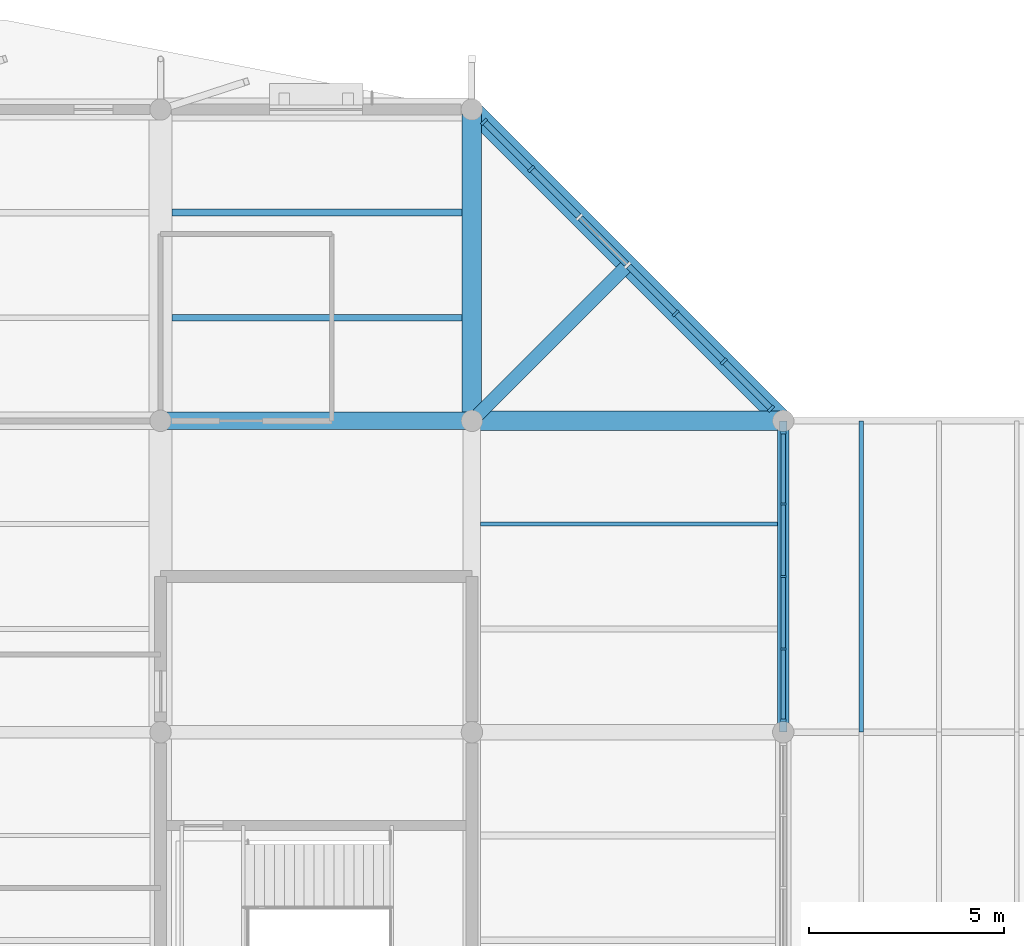
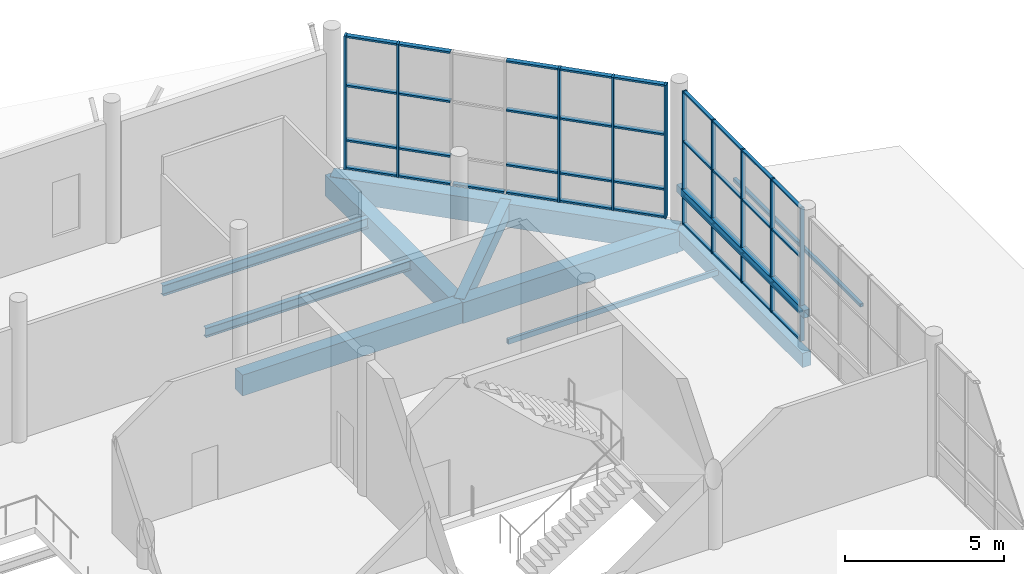
# One storey, part 63 of 122: 48 members, 10 beams, 2 elements without a shape of their own.
"""IFC4 building model written with IfcOpenShell, lengths in metres."""

from ifc_helpers import new_model, si_unit, direction, frame, origin, origin_2d, place, context, subcontext, project, spatial, rectangle, hollow_rectangle, i_section, extrude, material, material_profile, profile_set, type_object, element, aggregate, save


model = new_model("IFC4")

# Units and contexts
model_context = context("Model", 3, precision=1e-05, world=origin(), true_north=direction((0.0, 1.0)))
body_context = subcontext(model_context, "Body", "Model", "MODEL_VIEW")
ifc_project = project(units=[si_unit("LENGTHUNIT", "METRE"), si_unit("AREAUNIT", "SQUARE_METRE"), si_unit("VOLUMEUNIT", "CUBIC_METRE"), si_unit("PLANEANGLEUNIT", "RADIAN"), si_unit("MASSUNIT", "GRAM", prefix="KILO")], contexts=[model_context])

# Site, building, storey
site_placement = place(None, origin())
site = spatial("IfcSite", under=ifc_project, at=site_placement, CompositionType="ELEMENT")
building_placement = place(site_placement, origin())
building = spatial("IfcBuilding", under=site, at=building_placement, Name="Tenunan Teduh Sports Hall", CompositionType="ELEMENT")
storey_placement = place(building_placement, frame((0.0, 0.0, 5.39990234375)))
storey = spatial("IfcBuildingStorey", under=building, at=storey_placement, Name="L01", CompositionType="ELEMENT", Elevation=5.39990234375)

# Beams
ifc_material_1 = material(Name="Concrete C40/50", Category="concrete")
ifc_material_profile_1 = material_profile(ifc_material_1, rectangle(XDim=0.300048828125, YDim=0.550048828125, at=origin_2d()), Name="RCB 300x550")
ifc_profile_set_1 = profile_set([ifc_material_profile_1], Name="Concrete C40/50")
beam_type_1 = type_object("IfcBeamType", Name="BM-RC-300x550", PredefinedType="BEAM", material=ifc_profile_set_1)
beam_1_placement = place(storey_placement, frame((162.0, 102.0, -0.534912109375), z_axis=(0.0, 1.0, 0.0), x_axis=(-1.0, 0.0, 0.0)))
element("IfcBeam", 1, at=beam_1_placement, inside=storey, type_object=beam_type_1, Name="BM-B-02-L01-1303", PredefinedType="BEAM", context=body_context, shape_type="SweptSolid", body=[
    extrude(rectangle(XDim=0.300048828125, YDim=0.550048828125, at=origin_2d()), origin(), (0.0, 0.0, 1.0), 8.0),
])
ifc_material_2 = material(Name="Concrete C40/50", Category="concrete")
ifc_material_profile_2 = material_profile(ifc_material_2, rectangle(XDim=0.35009765625, YDim=0.60009765625, at=origin_2d()), Name="RCB 350x600")
ifc_profile_set_2 = profile_set([ifc_material_profile_2], Name="Concrete C40/50")
beam_type_2 = type_object("IfcBeamType", Name="BM-RC-350x600", PredefinedType="BEAM", material=ifc_profile_set_2)
beam_2_placement = place(storey_placement, frame((154.0, 110.0, -0.5498046875), z_axis=(0.707106781187, 0.707106781187, 0.0), x_axis=(-0.707106781187, 0.707106781187, 0.0)))
element("IfcBeam", 2, at=beam_2_placement, inside=storey, type_object=beam_type_2, Name="BM-B-04-L01-2235", PredefinedType="BEAM", context=body_context, shape_type="SweptSolid", body=[
    extrude(rectangle(XDim=0.35009765625, YDim=0.60009765625, at=origin_2d()), origin(), (0.0, 0.0, 1.0), 5.65673828125),
])
ifc_material_3 = material(Name="Concrete C40/50", Category="concrete")
ifc_material_profile_3 = material_profile(ifc_material_3, rectangle(XDim=0.449951171875, YDim=0.800048828125, at=origin_2d()), Name="RCB 450x800")
ifc_profile_set_3 = profile_set([ifc_material_profile_3], Name="Concrete C40/50")
beam_type_3 = type_object("IfcBeamType", Name="BM-RC-450x800", PredefinedType="BEAM", material=ifc_profile_set_3)
beam_3_placement = place(storey_placement, frame((146.0, 110.0, -0.659912109375), z_axis=(1.0, 0.0, 0.0), x_axis=(0.0, 1.0, 0.0)))
element("IfcBeam", 3, at=beam_3_placement, inside=storey, type_object=beam_type_3, Name="BM-B-12-L01-1170", PredefinedType="BEAM", context=body_context, shape_type="SweptSolid", body=[
    extrude(rectangle(XDim=0.449951171875, YDim=0.800048828125, at=origin_2d()), origin(), (0.0, 0.0, 1.0), 8.0),
])
ifc_material_4 = material(Name="Concrete C40/50", Category="concrete")
ifc_material_profile_4 = material_profile(ifc_material_4, rectangle(XDim=0.5, YDim=0.800048828125, at=origin_2d()), Name="RCB 500x800")
ifc_profile_set_4 = profile_set([ifc_material_profile_4], Name="Concrete C40/50")
beam_type_4 = type_object("IfcBeamType", Name="BM-RC-500x800", PredefinedType="BEAM", material=ifc_profile_set_4)
for number, where, z_axis, x_axis, name in (
    (4, (154.0, 110.0, -0.659912109375), (1.0, 0.0, 0.0), (0.0, 1.0, 0.0), "BM-B-14-L01-1171"),
    (5, (154.0, 110.0, -0.659912109375), (0.0, 1.0, 0.0), (-1.0, 0.0, 0.0), "BM-B-14-L01-1300"),
):
    element("IfcBeam", number, at=place(storey_placement, frame(where, z_axis=z_axis, x_axis=x_axis)), inside=storey, type_object=beam_type_4, Name=name, PredefinedType="BEAM", context=body_context, shape_type="SweptSolid", body=[
        extrude(rectangle(XDim=0.5, YDim=0.800048828125, at=origin_2d()), origin(), (0.0, 0.0, 1.0), 8.0),
    ])
ifc_material_5 = material(Name="Concrete C40/50", Category="concrete")
ifc_material_profile_5 = material_profile(ifc_material_5, rectangle(XDim=0.5, YDim=0.89990234375, at=origin_2d()), Name="RCB 500x900")
ifc_profile_set_5 = profile_set([ifc_material_profile_5], Name="Concrete C40/50")
beam_type_5 = type_object("IfcBeamType", Name="BM-RC-500x900", PredefinedType="BEAM", material=ifc_profile_set_5)
beam_4_placement = place(storey_placement, frame((154.0, 118.0, -0.699951171875), z_axis=(0.707106781187, -0.707106781187, 0.0), x_axis=(0.707106781187, 0.707106781187, 0.0)))
element("IfcBeam", 6, at=beam_4_placement, inside=storey, type_object=beam_type_5, Name="BM-B-15-L01-0600", PredefinedType="BEAM", context=body_context, shape_type="SweptSolid", body=[
    extrude(rectangle(XDim=0.5, YDim=0.89990234375, at=origin_2d()), origin(), (0.0, 0.0, 1.0), 11.313720703125),
])

# Curtain wall, members
ifc_material_6 = material(Name="Anodised aluminium", Category="aluminium")
curtain_wall_type = type_object("IfcCurtainWallType", Name="CW-UNIT-1", PredefinedType="NOTDEFINED", material=ifc_material_6)
curtain_wall_1_placement = place(storey_placement, origin())
curtain_wall_1 = element("IfcCurtainWall", 7, at=curtain_wall_1_placement, inside=storey, type_object=curtain_wall_type, Name="CW-CWM-150-L01-247", PredefinedType="NOTDEFINED")
ifc_material_7 = material(Name="Anodised aluminium", Category="aluminium")
ifc_material_profile_6 = material_profile(ifc_material_7, rectangle(XDim=0.06005859375, YDim=0.14990234375, at=origin_2d()), Name="CWM 60x150")
ifc_profile_set_6 = profile_set([ifc_material_profile_6], Name="Anodised aluminium")
member_type_1 = type_object("IfcMemberType", Name="CWM-150", PredefinedType="MULLION", material=ifc_profile_set_6)
member_1_placement = place(storey_placement, frame((162.0, 102.304931640625, 0.0), z_axis=(0.0, 0.0, 1.0), x_axis=(0.0, 1.0, 0.0)))
member_1 = element("IfcMember", 8, at=member_1_placement, type_object=member_type_1, Name="CW-01 mullion 1", PredefinedType="MULLION", context=body_context, shape_type="SweptSolid", body=[
    extrude(rectangle(XDim=0.06005859375, YDim=0.14990234375, at=origin_2d()), origin(), (0.0, 0.0, 1.0), 5.1201171875),
])
member_2_placement = place(storey_placement, frame((162.0, 104.137451171875, 0.0), z_axis=(0.0, 0.0, 1.0), x_axis=(0.0, 1.0, 0.0)))
member_2 = element("IfcMember", 9, at=member_2_placement, type_object=member_type_1, Name="CW-01 mullion 2", PredefinedType="MULLION", context=body_context, shape_type="SweptSolid", body=[
    extrude(rectangle(XDim=0.06005859375, YDim=0.14990234375, at=origin_2d()), origin(), (0.0, 0.0, 1.0), 5.1201171875),
])
member_3_placement = place(storey_placement, frame((162.0, 106.0, 0.0), z_axis=(0.0, 0.0, 1.0), x_axis=(0.0, 1.0, 0.0)))
member_3 = element("IfcMember", 10, at=member_3_placement, type_object=member_type_1, Name="CW-01 mullion 3", PredefinedType="MULLION", context=body_context, shape_type="SweptSolid", body=[
    extrude(rectangle(XDim=0.06005859375, YDim=0.14990234375, at=origin_2d()), origin(), (0.0, 0.0, 1.0), 5.1201171875),
])
member_4_placement = place(storey_placement, frame((162.0, 107.862548828125, 0.0), z_axis=(0.0, 0.0, 1.0), x_axis=(0.0, 1.0, 0.0)))
member_4 = element("IfcMember", 11, at=member_4_placement, type_object=member_type_1, Name="CW-01 mullion 4", PredefinedType="MULLION", context=body_context, shape_type="SweptSolid", body=[
    extrude(rectangle(XDim=0.06005859375, YDim=0.14990234375, at=origin_2d()), origin(), (0.0, 0.0, 1.0), 5.1201171875),
])
member_5_placement = place(storey_placement, frame((162.0, 109.695068359375, 0.0), z_axis=(0.0, 0.0, 1.0), x_axis=(0.0, 1.0, 0.0)))
member_5 = element("IfcMember", 12, at=member_5_placement, type_object=member_type_1, Name="CW-01 mullion 5", PredefinedType="MULLION", context=body_context, shape_type="SweptSolid", body=[
    extrude(rectangle(XDim=0.06005859375, YDim=0.14990234375, at=origin_2d()), origin(), (0.0, 0.0, 1.0), 5.1201171875),
])

curtain_wall_2_placement = place(storey_placement, origin())
curtain_wall_2 = element("IfcCurtainWall", 13, at=curtain_wall_2_placement, inside=storey, type_object=curtain_wall_type, Name="CW-CWM-200-L01-248", PredefinedType="NOTDEFINED")
ifc_material_8 = material(Name="Anodised aluminium", Category="aluminium")
ifc_material_profile_7 = material_profile(ifc_material_8, rectangle(XDim=0.070068359375, YDim=0.199951171875, at=origin_2d()), Name="CWM 70x200")
ifc_profile_set_7 = profile_set([ifc_material_profile_7], Name="Anodised aluminium")
member_type_2 = type_object("IfcMemberType", Name="CWM-200", PredefinedType="MULLION", material=ifc_profile_set_7)
member_6_placement = place(storey_placement, frame((154.3134765625, 117.6865234375, 0.0), z_axis=(0.0, 0.0, 1.0), x_axis=(-0.707106781187, 0.707106781187, 0.0)))
member_6 = element("IfcMember", 14, at=member_6_placement, type_object=member_type_2, Name="CW-01 mullion 1", PredefinedType="MULLION", context=body_context, shape_type="SweptSolid", body=[
    extrude(rectangle(XDim=0.070068359375, YDim=0.199951171875, at=origin_2d()), origin(), (0.0, 0.0, 1.0), 5.1201171875),
])
member_7_placement = place(storey_placement, frame((155.52587890625, 116.47412109375, 0.0), z_axis=(0.0, 0.0, 1.0), x_axis=(-0.707106781187, 0.707106781187, 0.0)))
member_7 = element("IfcMember", 15, at=member_7_placement, type_object=member_type_2, Name="CW-01 mullion 2", PredefinedType="MULLION", context=body_context, shape_type="SweptSolid", body=[
    extrude(rectangle(XDim=0.070068359375, YDim=0.199951171875, at=origin_2d()), origin(), (0.0, 0.0, 1.0), 5.1201171875),
])
member_8_placement = place(storey_placement, frame((159.237060546875, 112.762939453125, 0.0), z_axis=(0.0, 0.0, 1.0), x_axis=(-0.707106781187, 0.707106781187, 0.0)))
member_8 = element("IfcMember", 16, at=member_8_placement, type_object=member_type_2, Name="CW-01 mullion 5", PredefinedType="MULLION", context=body_context, shape_type="SweptSolid", body=[
    extrude(rectangle(XDim=0.070068359375, YDim=0.199951171875, at=origin_2d()), origin(), (0.0, 0.0, 1.0), 5.1201171875),
])
member_9_placement = place(storey_placement, frame((160.47412109375, 111.52587890625, 0.0), z_axis=(0.0, 0.0, 1.0), x_axis=(-0.707106781187, 0.707106781187, 0.0)))
member_9 = element("IfcMember", 17, at=member_9_placement, type_object=member_type_2, Name="CW-01 mullion 6", PredefinedType="MULLION", context=body_context, shape_type="SweptSolid", body=[
    extrude(rectangle(XDim=0.070068359375, YDim=0.199951171875, at=origin_2d()), origin(), (0.0, 0.0, 1.0), 5.1201171875),
])
member_10_placement = place(storey_placement, frame((161.6865234375, 110.3134765625, 0.0), z_axis=(0.0, 0.0, 1.0), x_axis=(-0.707106781187, 0.707106781187, 0.0)))
member_10 = element("IfcMember", 18, at=member_10_placement, type_object=member_type_2, Name="CW-01 mullion 7", PredefinedType="MULLION", context=body_context, shape_type="SweptSolid", body=[
    extrude(rectangle(XDim=0.070068359375, YDim=0.199951171875, at=origin_2d()), origin(), (0.0, 0.0, 1.0), 5.1201171875),
])

# Member
ifc_material_9 = material(Name="Anodised aluminium", Category="aluminium")
ifc_material_profile_8 = material_profile(ifc_material_9, rectangle(XDim=0.06005859375, YDim=0.1201171875, at=origin_2d()), Name="CWT 60x120")
ifc_profile_set_8 = profile_set([ifc_material_profile_8], Name="Anodised aluminium")
member_type_3 = type_object("IfcMemberType", Name="CWT-125", PredefinedType="USERDEFINED", material=ifc_profile_set_8)
member_11_placement = place(storey_placement, frame((162.0, 102.3349609375, 0.030029296875), z_axis=(0.0, 1.0, 0.0), x_axis=(0.0, 0.0, 1.0)))
member_11 = element("IfcMember", 19, at=member_11_placement, type_object=member_type_3, Name="CW-01 transom 1.1", ObjectType="TRANSOM", PredefinedType="USERDEFINED", context=body_context, shape_type="SweptSolid", body=[
    extrude(rectangle(XDim=0.06005859375, YDim=0.1201171875, at=origin_2d()), origin(), (0.0, 0.0, 1.0), 1.7724609375),
])

member_12_placement = place(storey_placement, frame((162.0, 102.3349609375, 1.10009765625), z_axis=(0.0, 1.0, 0.0), x_axis=(0.0, 0.0, 1.0)))
member_12 = element("IfcMember", 20, at=member_12_placement, type_object=member_type_3, Name="CW-01 transom 1.2", ObjectType="TRANSOM", PredefinedType="USERDEFINED", context=body_context, shape_type="SweptSolid", body=[
    extrude(rectangle(XDim=0.06005859375, YDim=0.1201171875, at=origin_2d()), origin(), (0.0, 0.0, 1.0), 1.7724609375),
])

member_13_placement = place(storey_placement, frame((162.0, 102.3349609375, 3.2001953125), z_axis=(0.0, 1.0, 0.0), x_axis=(0.0, 0.0, 1.0)))
member_13 = element("IfcMember", 21, at=member_13_placement, type_object=member_type_3, Name="CW-01 transom 1.3", ObjectType="TRANSOM", PredefinedType="USERDEFINED", context=body_context, shape_type="SweptSolid", body=[
    extrude(rectangle(XDim=0.06005859375, YDim=0.1201171875, at=origin_2d()), origin(), (0.0, 0.0, 1.0), 1.7724609375),
])

member_14_placement = place(storey_placement, frame((162.0, 102.3349609375, 5.090087890625), z_axis=(0.0, 1.0, 0.0), x_axis=(0.0, 0.0, 1.0)))
member_14 = element("IfcMember", 22, at=member_14_placement, type_object=member_type_3, Name="CW-01 transom 1.4", ObjectType="TRANSOM", PredefinedType="USERDEFINED", context=body_context, shape_type="SweptSolid", body=[
    extrude(rectangle(XDim=0.06005859375, YDim=0.1201171875, at=origin_2d()), origin(), (0.0, 0.0, 1.0), 1.7724609375),
])

member_15_placement = place(storey_placement, frame((162.0, 104.16748046875, 0.030029296875), z_axis=(0.0, 1.0, 0.0), x_axis=(0.0, 0.0, 1.0)))
member_15 = element("IfcMember", 23, at=member_15_placement, type_object=member_type_3, Name="CW-01 transom 2.1", ObjectType="TRANSOM", PredefinedType="USERDEFINED", context=body_context, shape_type="SweptSolid", body=[
    extrude(rectangle(XDim=0.06005859375, YDim=0.1201171875, at=origin_2d()), origin(), (0.0, 0.0, 1.0), 1.802490234375),
])

member_16_placement = place(storey_placement, frame((162.0, 104.16748046875, 1.10009765625), z_axis=(0.0, 1.0, 0.0), x_axis=(0.0, 0.0, 1.0)))
member_16 = element("IfcMember", 24, at=member_16_placement, type_object=member_type_3, Name="CW-01 transom 2.2", ObjectType="TRANSOM", PredefinedType="USERDEFINED", context=body_context, shape_type="SweptSolid", body=[
    extrude(rectangle(XDim=0.06005859375, YDim=0.1201171875, at=origin_2d()), origin(), (0.0, 0.0, 1.0), 1.802490234375),
])

member_17_placement = place(storey_placement, frame((162.0, 104.16748046875, 3.2001953125), z_axis=(0.0, 1.0, 0.0), x_axis=(0.0, 0.0, 1.0)))
member_17 = element("IfcMember", 25, at=member_17_placement, type_object=member_type_3, Name="CW-01 transom 2.3", ObjectType="TRANSOM", PredefinedType="USERDEFINED", context=body_context, shape_type="SweptSolid", body=[
    extrude(rectangle(XDim=0.06005859375, YDim=0.1201171875, at=origin_2d()), origin(), (0.0, 0.0, 1.0), 1.802490234375),
])

member_18_placement = place(storey_placement, frame((162.0, 104.16748046875, 5.090087890625), z_axis=(0.0, 1.0, 0.0), x_axis=(0.0, 0.0, 1.0)))
member_18 = element("IfcMember", 26, at=member_18_placement, type_object=member_type_3, Name="CW-01 transom 2.4", ObjectType="TRANSOM", PredefinedType="USERDEFINED", context=body_context, shape_type="SweptSolid", body=[
    extrude(rectangle(XDim=0.06005859375, YDim=0.1201171875, at=origin_2d()), origin(), (0.0, 0.0, 1.0), 1.802490234375),
])

member_19_placement = place(storey_placement, frame((162.0, 106.030029296875, 0.030029296875), z_axis=(0.0, 1.0, 0.0), x_axis=(0.0, 0.0, 1.0)))
member_19 = element("IfcMember", 27, at=member_19_placement, type_object=member_type_3, Name="CW-01 transom 3.1", ObjectType="TRANSOM", PredefinedType="USERDEFINED", context=body_context, shape_type="SweptSolid", body=[
    extrude(rectangle(XDim=0.06005859375, YDim=0.1201171875, at=origin_2d()), origin(), (0.0, 0.0, 1.0), 1.802490234375),
])

member_20_placement = place(storey_placement, frame((162.0, 106.030029296875, 1.10009765625), z_axis=(0.0, 1.0, 0.0), x_axis=(0.0, 0.0, 1.0)))
member_20 = element("IfcMember", 28, at=member_20_placement, type_object=member_type_3, Name="CW-01 transom 3.2", ObjectType="TRANSOM", PredefinedType="USERDEFINED", context=body_context, shape_type="SweptSolid", body=[
    extrude(rectangle(XDim=0.06005859375, YDim=0.1201171875, at=origin_2d()), origin(), (0.0, 0.0, 1.0), 1.802490234375),
])

member_21_placement = place(storey_placement, frame((162.0, 106.030029296875, 3.2001953125), z_axis=(0.0, 1.0, 0.0), x_axis=(0.0, 0.0, 1.0)))
member_21 = element("IfcMember", 29, at=member_21_placement, type_object=member_type_3, Name="CW-01 transom 3.3", ObjectType="TRANSOM", PredefinedType="USERDEFINED", context=body_context, shape_type="SweptSolid", body=[
    extrude(rectangle(XDim=0.06005859375, YDim=0.1201171875, at=origin_2d()), origin(), (0.0, 0.0, 1.0), 1.802490234375),
])

member_22_placement = place(storey_placement, frame((162.0, 106.030029296875, 5.090087890625), z_axis=(0.0, 1.0, 0.0), x_axis=(0.0, 0.0, 1.0)))
member_22 = element("IfcMember", 30, at=member_22_placement, type_object=member_type_3, Name="CW-01 transom 3.4", ObjectType="TRANSOM", PredefinedType="USERDEFINED", context=body_context, shape_type="SweptSolid", body=[
    extrude(rectangle(XDim=0.06005859375, YDim=0.1201171875, at=origin_2d()), origin(), (0.0, 0.0, 1.0), 1.802490234375),
])

member_23_placement = place(storey_placement, frame((162.0, 107.892578125, 0.030029296875), z_axis=(0.0, 1.0, 0.0), x_axis=(0.0, 0.0, 1.0)))
member_23 = element("IfcMember", 31, at=member_23_placement, type_object=member_type_3, Name="CW-01 transom 4.1", ObjectType="TRANSOM", PredefinedType="USERDEFINED", context=body_context, shape_type="SweptSolid", body=[
    extrude(rectangle(XDim=0.06005859375, YDim=0.1201171875, at=origin_2d()), origin(), (0.0, 0.0, 1.0), 1.7724609375),
])

member_24_placement = place(storey_placement, frame((162.0, 107.892578125, 1.10009765625), z_axis=(0.0, 1.0, 0.0), x_axis=(0.0, 0.0, 1.0)))
member_24 = element("IfcMember", 32, at=member_24_placement, type_object=member_type_3, Name="CW-01 transom 4.2", ObjectType="TRANSOM", PredefinedType="USERDEFINED", context=body_context, shape_type="SweptSolid", body=[
    extrude(rectangle(XDim=0.06005859375, YDim=0.1201171875, at=origin_2d()), origin(), (0.0, 0.0, 1.0), 1.7724609375),
])

member_25_placement = place(storey_placement, frame((162.0, 107.892578125, 3.2001953125), z_axis=(0.0, 1.0, 0.0), x_axis=(0.0, 0.0, 1.0)))
member_25 = element("IfcMember", 33, at=member_25_placement, type_object=member_type_3, Name="CW-01 transom 4.3", ObjectType="TRANSOM", PredefinedType="USERDEFINED", context=body_context, shape_type="SweptSolid", body=[
    extrude(rectangle(XDim=0.06005859375, YDim=0.1201171875, at=origin_2d()), origin(), (0.0, 0.0, 1.0), 1.7724609375),
])

member_26_placement = place(storey_placement, frame((162.0, 107.892578125, 5.090087890625), z_axis=(0.0, 1.0, 0.0), x_axis=(0.0, 0.0, 1.0)))
member_26 = element("IfcMember", 34, at=member_26_placement, type_object=member_type_3, Name="CW-01 transom 4.4", ObjectType="TRANSOM", PredefinedType="USERDEFINED", context=body_context, shape_type="SweptSolid", body=[
    extrude(rectangle(XDim=0.06005859375, YDim=0.1201171875, at=origin_2d()), origin(), (0.0, 0.0, 1.0), 1.7724609375),
])

aggregate(curtain_wall_1, [member_1, member_2, member_3, member_4, member_5, member_11, member_12, member_13, member_14, member_15, member_16, member_17, member_18, member_19, member_20, member_21, member_22, member_23, member_24, member_25, member_26])

ifc_material_10 = material(Name="Anodised aluminium", Category="aluminium")
ifc_material_profile_9 = material_profile(ifc_material_10, rectangle(XDim=0.070068359375, YDim=0.159912109375, at=origin_2d()), Name="CWT 70x160")
ifc_profile_set_9 = profile_set([ifc_material_profile_9], Name="Anodised aluminium")
member_type_4 = type_object("IfcMemberType", Name="CWT-200", PredefinedType="USERDEFINED", material=ifc_profile_set_9)
member_27_placement = place(storey_placement, frame((154.338134765625, 117.661865234375, 0.03515625), z_axis=(0.707106781187, -0.707106781187, 0.0), x_axis=(0.0, 0.0, 1.0)))
member_27 = element("IfcMember", 35, at=member_27_placement, type_object=member_type_4, Name="CW-01 transom 1.1", ObjectType="TRANSOM", PredefinedType="USERDEFINED", context=body_context, shape_type="SweptSolid", body=[
    extrude(rectangle(XDim=0.070068359375, YDim=0.159912109375, at=origin_2d()), origin(), (0.0, 0.0, 1.0), 1.64453125),
])

member_28_placement = place(storey_placement, frame((154.338134765625, 117.661865234375, 1.10009765625), z_axis=(0.707106781187, -0.707106781187, 0.0), x_axis=(0.0, 0.0, 1.0)))
member_28 = element("IfcMember", 36, at=member_28_placement, type_object=member_type_4, Name="CW-01 transom 1.2", ObjectType="TRANSOM", PredefinedType="USERDEFINED", context=body_context, shape_type="SweptSolid", body=[
    extrude(rectangle(XDim=0.070068359375, YDim=0.159912109375, at=origin_2d()), origin(), (0.0, 0.0, 1.0), 1.64453125),
])

member_29_placement = place(storey_placement, frame((154.338134765625, 117.661865234375, 3.2001953125), z_axis=(0.707106781187, -0.707106781187, 0.0), x_axis=(0.0, 0.0, 1.0)))
member_29 = element("IfcMember", 37, at=member_29_placement, type_object=member_type_4, Name="CW-01 transom 1.3", ObjectType="TRANSOM", PredefinedType="USERDEFINED", context=body_context, shape_type="SweptSolid", body=[
    extrude(rectangle(XDim=0.070068359375, YDim=0.159912109375, at=origin_2d()), origin(), (0.0, 0.0, 1.0), 1.64453125),
])

member_30_placement = place(storey_placement, frame((154.338134765625, 117.661865234375, 5.085205078125), z_axis=(0.707106781187, -0.707106781187, 0.0), x_axis=(0.0, 0.0, 1.0)))
member_30 = element("IfcMember", 38, at=member_30_placement, type_object=member_type_4, Name="CW-01 transom 1.4", ObjectType="TRANSOM", PredefinedType="USERDEFINED", context=body_context, shape_type="SweptSolid", body=[
    extrude(rectangle(XDim=0.070068359375, YDim=0.159912109375, at=origin_2d()), origin(), (0.0, 0.0, 1.0), 1.64453125),
])

member_31_placement = place(storey_placement, frame((155.550537109375, 116.449462890625, 0.03515625), z_axis=(0.707106781187, -0.707106781187, 0.0), x_axis=(0.0, 0.0, 1.0)))
member_31 = element("IfcMember", 39, at=member_31_placement, type_object=member_type_4, Name="CW-01 transom 2.1", ObjectType="TRANSOM", PredefinedType="USERDEFINED", context=body_context, shape_type="SweptSolid", body=[
    extrude(rectangle(XDim=0.070068359375, YDim=0.159912109375, at=origin_2d()), origin(), (0.0, 0.0, 1.0), 1.679443359375),
])

member_32_placement = place(storey_placement, frame((155.550537109375, 116.449462890625, 1.10009765625), z_axis=(0.707106781187, -0.707106781187, 0.0), x_axis=(0.0, 0.0, 1.0)))
member_32 = element("IfcMember", 40, at=member_32_placement, type_object=member_type_4, Name="CW-01 transom 2.2", ObjectType="TRANSOM", PredefinedType="USERDEFINED", context=body_context, shape_type="SweptSolid", body=[
    extrude(rectangle(XDim=0.070068359375, YDim=0.159912109375, at=origin_2d()), origin(), (0.0, 0.0, 1.0), 1.679443359375),
])

member_33_placement = place(storey_placement, frame((155.550537109375, 116.449462890625, 3.2001953125), z_axis=(0.707106781187, -0.707106781187, 0.0), x_axis=(0.0, 0.0, 1.0)))
member_33 = element("IfcMember", 41, at=member_33_placement, type_object=member_type_4, Name="CW-01 transom 2.3", ObjectType="TRANSOM", PredefinedType="USERDEFINED", context=body_context, shape_type="SweptSolid", body=[
    extrude(rectangle(XDim=0.070068359375, YDim=0.159912109375, at=origin_2d()), origin(), (0.0, 0.0, 1.0), 1.679443359375),
])

member_34_placement = place(storey_placement, frame((155.550537109375, 116.449462890625, 5.085205078125), z_axis=(0.707106781187, -0.707106781187, 0.0), x_axis=(0.0, 0.0, 1.0)))
member_34 = element("IfcMember", 42, at=member_34_placement, type_object=member_type_4, Name="CW-01 transom 2.4", ObjectType="TRANSOM", PredefinedType="USERDEFINED", context=body_context, shape_type="SweptSolid", body=[
    extrude(rectangle(XDim=0.070068359375, YDim=0.159912109375, at=origin_2d()), origin(), (0.0, 0.0, 1.0), 1.679443359375),
])

member_35_placement = place(storey_placement, frame((156.78759765625, 115.21240234375, 0.03515625), z_axis=(0.707106781187, -0.707106781187, 0.0), x_axis=(0.0, 0.0, 1.0)))
member_35 = element("IfcMember", 43, at=member_35_placement, type_object=member_type_4, Name="CW-01 transom 3.1", ObjectType="TRANSOM", PredefinedType="USERDEFINED", context=body_context, shape_type="SweptSolid", body=[
    extrude(rectangle(XDim=0.070068359375, YDim=0.159912109375, at=origin_2d()), origin(), (0.0, 0.0, 1.0), 1.6796875),
])

member_36_placement = place(storey_placement, frame((158.024658203125, 113.975341796875, 0.03515625), z_axis=(0.707106781187, -0.707106781187, 0.0), x_axis=(0.0, 0.0, 1.0)))
member_36 = element("IfcMember", 44, at=member_36_placement, type_object=member_type_4, Name="CW-01 transom 4.1", ObjectType="TRANSOM", PredefinedType="USERDEFINED", context=body_context, shape_type="SweptSolid", body=[
    extrude(rectangle(XDim=0.070068359375, YDim=0.159912109375, at=origin_2d()), origin(), (0.0, 0.0, 1.0), 1.6796875),
])

member_37_placement = place(storey_placement, frame((158.024658203125, 113.975341796875, 1.10009765625), z_axis=(0.707106781187, -0.707106781187, 0.0), x_axis=(0.0, 0.0, 1.0)))
member_37 = element("IfcMember", 45, at=member_37_placement, type_object=member_type_4, Name="CW-01 transom 4.2", ObjectType="TRANSOM", PredefinedType="USERDEFINED", context=body_context, shape_type="SweptSolid", body=[
    extrude(rectangle(XDim=0.070068359375, YDim=0.159912109375, at=origin_2d()), origin(), (0.0, 0.0, 1.0), 1.6796875),
])

member_38_placement = place(storey_placement, frame((158.024658203125, 113.975341796875, 3.2001953125), z_axis=(0.707106781187, -0.707106781187, 0.0), x_axis=(0.0, 0.0, 1.0)))
member_38 = element("IfcMember", 46, at=member_38_placement, type_object=member_type_4, Name="CW-01 transom 4.3", ObjectType="TRANSOM", PredefinedType="USERDEFINED", context=body_context, shape_type="SweptSolid", body=[
    extrude(rectangle(XDim=0.070068359375, YDim=0.159912109375, at=origin_2d()), origin(), (0.0, 0.0, 1.0), 1.6796875),
])

member_39_placement = place(storey_placement, frame((158.024658203125, 113.975341796875, 5.085205078125), z_axis=(0.707106781187, -0.707106781187, 0.0), x_axis=(0.0, 0.0, 1.0)))
member_39 = element("IfcMember", 47, at=member_39_placement, type_object=member_type_4, Name="CW-01 transom 4.4", ObjectType="TRANSOM", PredefinedType="USERDEFINED", context=body_context, shape_type="SweptSolid", body=[
    extrude(rectangle(XDim=0.070068359375, YDim=0.159912109375, at=origin_2d()), origin(), (0.0, 0.0, 1.0), 1.6796875),
])

member_40_placement = place(storey_placement, frame((159.261962890625, 112.738037109375, 0.03515625), z_axis=(0.707106781187, -0.707106781187, 0.0), x_axis=(0.0, 0.0, 1.0)))
member_40 = element("IfcMember", 48, at=member_40_placement, type_object=member_type_4, Name="CW-01 transom 5.1", ObjectType="TRANSOM", PredefinedType="USERDEFINED", context=body_context, shape_type="SweptSolid", body=[
    extrude(rectangle(XDim=0.070068359375, YDim=0.159912109375, at=origin_2d()), origin(), (0.0, 0.0, 1.0), 1.679443359375),
])

member_41_placement = place(storey_placement, frame((159.261962890625, 112.738037109375, 1.10009765625), z_axis=(0.707106781187, -0.707106781187, 0.0), x_axis=(0.0, 0.0, 1.0)))
member_41 = element("IfcMember", 49, at=member_41_placement, type_object=member_type_4, Name="CW-01 transom 5.2", ObjectType="TRANSOM", PredefinedType="USERDEFINED", context=body_context, shape_type="SweptSolid", body=[
    extrude(rectangle(XDim=0.070068359375, YDim=0.159912109375, at=origin_2d()), origin(), (0.0, 0.0, 1.0), 1.679443359375),
])

member_42_placement = place(storey_placement, frame((159.261962890625, 112.738037109375, 3.2001953125), z_axis=(0.707106781187, -0.707106781187, 0.0), x_axis=(0.0, 0.0, 1.0)))
member_42 = element("IfcMember", 50, at=member_42_placement, type_object=member_type_4, Name="CW-01 transom 5.3", ObjectType="TRANSOM", PredefinedType="USERDEFINED", context=body_context, shape_type="SweptSolid", body=[
    extrude(rectangle(XDim=0.070068359375, YDim=0.159912109375, at=origin_2d()), origin(), (0.0, 0.0, 1.0), 1.679443359375),
])

member_43_placement = place(storey_placement, frame((159.261962890625, 112.738037109375, 5.085205078125), z_axis=(0.707106781187, -0.707106781187, 0.0), x_axis=(0.0, 0.0, 1.0)))
member_43 = element("IfcMember", 51, at=member_43_placement, type_object=member_type_4, Name="CW-01 transom 5.4", ObjectType="TRANSOM", PredefinedType="USERDEFINED", context=body_context, shape_type="SweptSolid", body=[
    extrude(rectangle(XDim=0.070068359375, YDim=0.159912109375, at=origin_2d()), origin(), (0.0, 0.0, 1.0), 1.679443359375),
])

member_44_placement = place(storey_placement, frame((160.4990234375, 111.5009765625, 0.03515625), z_axis=(0.707106781187, -0.707106781187, 0.0), x_axis=(0.0, 0.0, 1.0)))
member_44 = element("IfcMember", 52, at=member_44_placement, type_object=member_type_4, Name="CW-01 transom 6.1", ObjectType="TRANSOM", PredefinedType="USERDEFINED", context=body_context, shape_type="SweptSolid", body=[
    extrude(rectangle(XDim=0.070068359375, YDim=0.159912109375, at=origin_2d()), origin(), (0.0, 0.0, 1.0), 1.64453125),
])

member_45_placement = place(storey_placement, frame((160.4990234375, 111.5009765625, 1.10009765625), z_axis=(0.707106781187, -0.707106781187, 0.0), x_axis=(0.0, 0.0, 1.0)))
member_45 = element("IfcMember", 53, at=member_45_placement, type_object=member_type_4, Name="CW-01 transom 6.2", ObjectType="TRANSOM", PredefinedType="USERDEFINED", context=body_context, shape_type="SweptSolid", body=[
    extrude(rectangle(XDim=0.070068359375, YDim=0.159912109375, at=origin_2d()), origin(), (0.0, 0.0, 1.0), 1.64453125),
])

member_46_placement = place(storey_placement, frame((160.4990234375, 111.5009765625, 3.2001953125), z_axis=(0.707106781187, -0.707106781187, 0.0), x_axis=(0.0, 0.0, 1.0)))
member_46 = element("IfcMember", 54, at=member_46_placement, type_object=member_type_4, Name="CW-01 transom 6.3", ObjectType="TRANSOM", PredefinedType="USERDEFINED", context=body_context, shape_type="SweptSolid", body=[
    extrude(rectangle(XDim=0.070068359375, YDim=0.159912109375, at=origin_2d()), origin(), (0.0, 0.0, 1.0), 1.64453125),
])

member_47_placement = place(storey_placement, frame((160.4990234375, 111.5009765625, 5.085205078125), z_axis=(0.707106781187, -0.707106781187, 0.0), x_axis=(0.0, 0.0, 1.0)))
member_47 = element("IfcMember", 55, at=member_47_placement, type_object=member_type_4, Name="CW-01 transom 6.4", ObjectType="TRANSOM", PredefinedType="USERDEFINED", context=body_context, shape_type="SweptSolid", body=[
    extrude(rectangle(XDim=0.070068359375, YDim=0.159912109375, at=origin_2d()), origin(), (0.0, 0.0, 1.0), 1.64453125),
])

aggregate(curtain_wall_2, [member_6, member_7, member_8, member_9, member_10, member_27, member_28, member_29, member_30, member_31, member_32, member_33, member_34, member_35, member_36, member_37, member_38, member_39, member_40, member_41, member_42, member_43, member_44, member_45, member_46, member_47])

# Beams
ifc_material_11 = material(Name="Steel S355", Category="steel")
ifc_material_profile_10 = material_profile(ifc_material_11, i_section(OverallWidth=0.169921875, OverallDepth=0.360107421875, WebThickness=0.008056640625, FlangeThickness=0.0126953125, FilletRadius=0.01806640625, at=origin_2d()), Name="IPE 360")
ifc_profile_set_10 = profile_set([ifc_material_profile_10], Name="Steel S355")
beam_type_6 = type_object("IfcBeamType", Name="JST-IPE360", PredefinedType="JOIST", material=ifc_profile_set_10)
beam_5_placement = place(storey_placement, frame((146.300048828125, 112.64990234375, -0.43994140625), z_axis=(1.0, 0.0, 0.0), x_axis=(0.0, 1.0, 0.0)))
element("IfcBeam", 56, at=beam_5_placement, inside=storey, type_object=beam_type_6, Name="BM-J-05-L01-1444", PredefinedType="JOIST", context=body_context, shape_type="SweptSolid", body=[
    extrude(i_section(OverallWidth=0.169921875, OverallDepth=0.360107421875, WebThickness=0.008056640625, FlangeThickness=0.0126953125, FilletRadius=0.01806640625, at=origin_2d()), origin(), (0.0, 0.0, 1.0), 7.449951171875),
])
ifc_material_12 = material(Name="Steel S355", Category="steel")
ifc_material_profile_11 = material_profile(ifc_material_12, i_section(OverallWidth=0.179931640625, OverallDepth=0.39990234375, WebThickness=0.008544921875, FlangeThickness=0.013427734375, FilletRadius=0.02099609375, at=origin_2d()), Name="IPE 400")
ifc_profile_set_11 = profile_set([ifc_material_profile_11], Name="Steel S355")
beam_type_7 = type_object("IfcBeamType", Name="JST-IPE400", PredefinedType="JOIST", material=ifc_profile_set_11)
beam_6_placement = place(storey_placement, frame((146.300048828125, 115.35009765625, -0.4599609375), z_axis=(1.0, 0.0, 0.0), x_axis=(0.0, 1.0, 0.0)))
element("IfcBeam", 57, at=beam_6_placement, inside=storey, type_object=beam_type_7, Name="BM-J-06-L01-1445", PredefinedType="JOIST", context=body_context, shape_type="SweptSolid", body=[
    extrude(i_section(OverallWidth=0.179931640625, OverallDepth=0.39990234375, WebThickness=0.008544921875, FlangeThickness=0.013427734375, FilletRadius=0.02099609375, at=origin_2d()), origin(), (0.0, 0.0, 1.0), 7.449951171875),
])

# Member
ifc_material_13 = material(Name="Steel S355", Category="steel")
ifc_material_profile_12 = material_profile(ifc_material_13, hollow_rectangle(XDim=0.1201171875, YDim=0.1201171875, WallThickness=0.00634765625, at=origin_2d()), Name="SHS 120x120x6.3")
ifc_profile_set_12 = profile_set([ifc_material_profile_12], Name="Steel S355")
member_type_5 = type_object("IfcMemberType", Name="MEM-PR-SHS120", PredefinedType="PURLIN", material=ifc_profile_set_12)
member_48_placement = place(storey_placement, frame((164.0, 102.0, 0.84521484375), z_axis=(0.0, 1.0, 0.0), x_axis=(-1.0, 0.0, 0.0)))
element("IfcMember", 58, at=member_48_placement, inside=storey, type_object=member_type_5, Name="MEM-PR-02-L01-1032", PredefinedType="PURLIN", context=body_context, shape_type="SweptSolid", body=[
    extrude(hollow_rectangle(XDim=0.1201171875, YDim=0.1201171875, WallThickness=0.00634765625, at=origin_2d()), origin(), (0.0, 0.0, 1.0), 7.996337890625),
])

# Beams
ifc_material_14 = material(Name="Steel S355", Category="steel")
ifc_material_profile_13 = material_profile(ifc_material_14, hollow_rectangle(XDim=0.10009765625, YDim=0.199951171875, WallThickness=0.008056640625, at=origin_2d()), Name="RHS 200x100x8.0")
ifc_profile_set_13 = profile_set([ifc_material_profile_13], Name="Steel S355")
beam_type_8 = type_object("IfcBeamType", Name="RBM-RHS200", PredefinedType="JOIST", material=ifc_profile_set_13)
beam_7_placement = place(storey_placement, frame((154.22509765625, 107.35009765625, -0.35986328125), z_axis=(1.0, 0.0, 0.0), x_axis=(0.0, 1.0, 0.0)))
element("IfcBeam", 59, at=beam_7_placement, inside=storey, type_object=beam_type_8, Name="Perimeter Ring Beam BM-RB-05-L01-1451", PredefinedType="JOIST", context=body_context, shape_type="SweptSolid", body=[
    extrude(hollow_rectangle(XDim=0.10009765625, YDim=0.199951171875, WallThickness=0.008056640625, at=origin_2d()), origin(), (0.0, 0.0, 1.0), 7.625),
])
ifc_material_15 = material(Name="Steel S355", Category="steel")
ifc_material_profile_14 = material_profile(ifc_material_15, hollow_rectangle(XDim=0.199951171875, YDim=0.300048828125, WallThickness=0.010009765625, at=origin_2d()), Name="RHS 300x200x10.0")
ifc_profile_set_14 = profile_set([ifc_material_profile_14], Name="Steel S355")
beam_type_9 = type_object("IfcBeamType", Name="RBM-RHS300", PredefinedType="BEAM", material=ifc_profile_set_14)
beam_8_placement = place(storey_placement, frame((162.0, 102.0, 1.22021484375), z_axis=(0.0, 1.0, 0.0), x_axis=(-1.0, 0.0, 0.0)))
element("IfcBeam", 60, at=beam_8_placement, inside=storey, type_object=beam_type_9, Name="Perimeter Ring Beam BM-RB-03-L01-0582", PredefinedType="BEAM", context=body_context, shape_type="SweptSolid", body=[
    extrude(hollow_rectangle(XDim=0.199951171875, YDim=0.300048828125, WallThickness=0.010009765625, at=origin_2d()), origin(), (0.0, 0.0, 1.0), 8.0),
])

save(model, "model.ifc")
